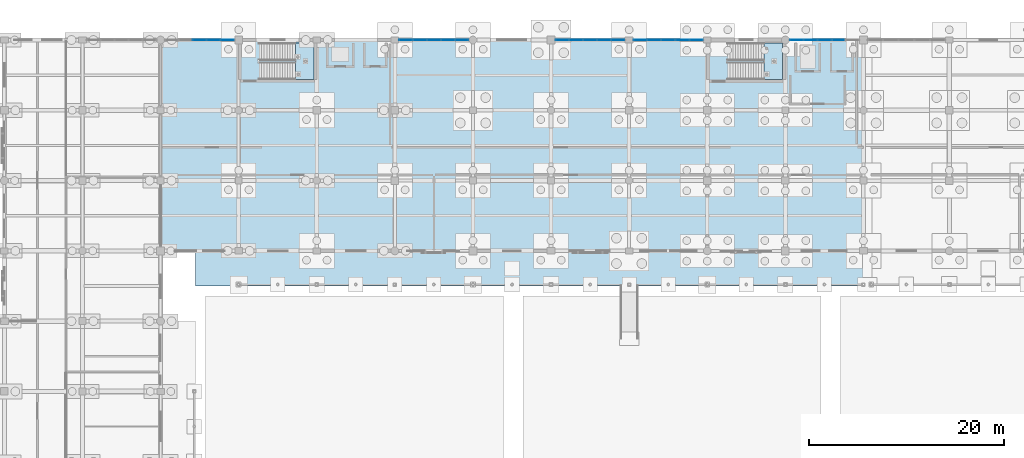
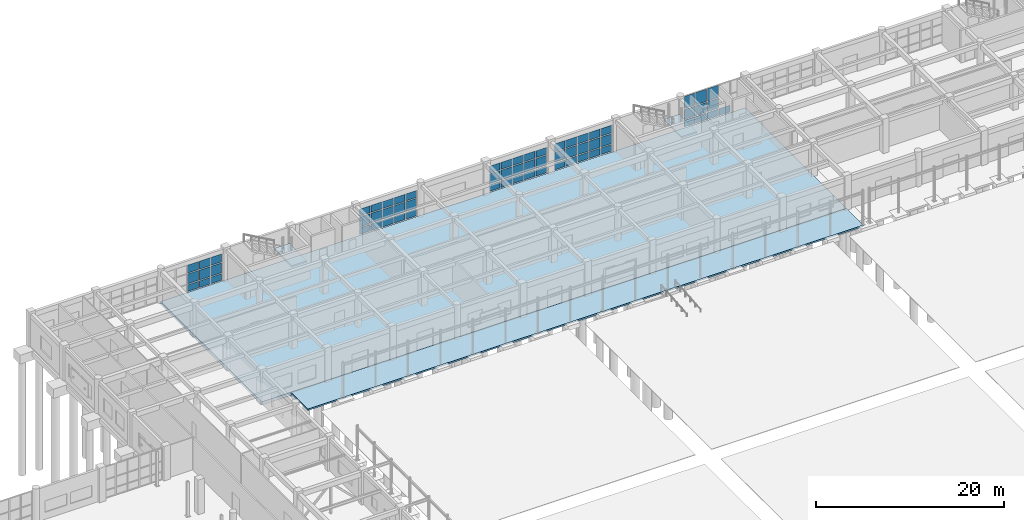
# One storey, part 112 of 166: 64 plates, 4 slabs, 7 elements without a shape of their own.
"""IFC4 building model written with IfcOpenShell, lengths in metres."""

from ifc_helpers import new_model, si_unit, direction, frame, origin, origin_2d, place, context, subcontext, project, spatial, polyline, rectangle, outline, extrude, material, layer, layer_set, type_object, element, aggregate, save


model = new_model("IFC4")

# Units and contexts
model_context = context("Model", 3, precision=1e-05, world=origin(), true_north=direction((0.0, 1.0)))
body_context = subcontext(model_context, "Body", "Model", "MODEL_VIEW")
ifc_project = project(units=[si_unit("LENGTHUNIT", "METRE"), si_unit("AREAUNIT", "SQUARE_METRE"), si_unit("VOLUMEUNIT", "CUBIC_METRE"), si_unit("PLANEANGLEUNIT", "RADIAN"), si_unit("MASSUNIT", "GRAM", prefix="KILO")], contexts=[model_context])

# Site, building, storey
site_placement = place(None, origin())
site = spatial("IfcSite", under=ifc_project, at=site_placement, CompositionType="ELEMENT")
building_placement = place(site_placement, origin())
building = spatial("IfcBuilding", under=site, at=building_placement, Name="Kharva Crest Polytechnic", CompositionType="ELEMENT")
storey_placement = place(building_placement, origin())
storey = spatial("IfcBuildingStorey", under=building, at=storey_placement, Name="L00", CompositionType="ELEMENT", Elevation=0.0)

# Curtain wall, plates
ifc_material_1 = material(Name="Tempered insulated glass", Category="glass")
curtain_wall_type = type_object("IfcCurtainWallType", Name="CW-SYS-COURT", PredefinedType="USERDEFINED", material=ifc_material_1)
curtain_wall_1_placement = place(storey_placement, origin())
curtain_wall_1 = element("IfcCurtainWall", 1, at=curtain_wall_1_placement, inside=storey, type_object=curtain_wall_type, Name="L00 Glazed Curtain Wall CW-025", ObjectType="CURTAIN WALL", PredefinedType="USERDEFINED")
ifc_layer_1 = layer(ifc_material_1, 0.02392578125, Name="Tempered insulated glass")
ifc_layer_set_1 = layer_set([ifc_layer_1], Name="Tempered insulated glass")
plate_type = type_object("IfcPlateType", Name="CWP-GLZ-24", PredefinedType="CURTAIN_PANEL", material=ifc_layer_set_1)
plate_1_placement = place(storey_placement, frame((117.43798828125, 122.0, 0.119873046875), z_axis=(0.0, 0.0, 1.0), x_axis=(-1.0, 0.0, 0.0)))
plate_1 = element("IfcPlate", 2, at=plate_1_placement, type_object=plate_type, Name="CW-025 panel 2.1", PredefinedType="CURTAIN_PANEL", context=body_context, shape_type="SweptSolid", body=[
    extrude(rectangle(XDim=1.35791015625, YDim=0.02392578125, at=origin_2d()), origin(), (0.0, 0.0, 1.0), 0.8701171875),
])
plate_2_placement = place(storey_placement, frame((116.0, 122.0, 0.119873046875), z_axis=(0.0, 0.0, 1.0), x_axis=(-1.0, 0.0, 0.0)))
plate_2 = element("IfcPlate", 3, at=plate_2_placement, type_object=plate_type, Name="CW-025 panel 3.1", PredefinedType="CURTAIN_PANEL", context=body_context, shape_type="SweptSolid", body=[
    extrude(rectangle(XDim=1.35791015625, YDim=0.02392578125, at=origin_2d()), origin(), (0.0, 0.0, 1.0), 0.8701171875),
])
plate_3_placement = place(storey_placement, frame((116.0, 122.0, 1.10986328125), z_axis=(0.0, 0.0, 1.0), x_axis=(-1.0, 0.0, 0.0)))
plate_3 = element("IfcPlate", 4, at=plate_3_placement, type_object=plate_type, Name="CW-025 panel 3.2", PredefinedType="CURTAIN_PANEL", context=body_context, shape_type="SweptSolid", body=[
    extrude(rectangle(XDim=1.35791015625, YDim=0.02392578125, at=origin_2d()), origin(), (0.0, 0.0, 1.0), 1.280029296875),
])
plate_4_placement = place(storey_placement, frame((116.0, 122.0, 2.509765625), z_axis=(0.0, 0.0, 1.0), x_axis=(-1.0, 0.0, 0.0)))
plate_4 = element("IfcPlate", 5, at=plate_4_placement, type_object=plate_type, Name="CW-025 panel 3.3", PredefinedType="CURTAIN_PANEL", context=body_context, shape_type="SweptSolid", body=[
    extrude(rectangle(XDim=1.35791015625, YDim=0.02392578125, at=origin_2d()), origin(), (0.0, 0.0, 1.0), 1.590087890625),
])
plate_5_placement = place(storey_placement, frame((114.56201171875, 122.0, 0.119873046875), z_axis=(0.0, 0.0, 1.0), x_axis=(-1.0, 0.0, 0.0)))
plate_5 = element("IfcPlate", 6, at=plate_5_placement, type_object=plate_type, Name="CW-025 panel 4.1", PredefinedType="CURTAIN_PANEL", context=body_context, shape_type="SweptSolid", body=[
    extrude(rectangle(XDim=1.35791015625, YDim=0.02392578125, at=origin_2d()), origin(), (0.0, 0.0, 1.0), 0.8701171875),
])
plate_6_placement = place(storey_placement, frame((114.56201171875, 122.0, 1.10986328125), z_axis=(0.0, 0.0, 1.0), x_axis=(-1.0, 0.0, 0.0)))
plate_6 = element("IfcPlate", 7, at=plate_6_placement, type_object=plate_type, Name="CW-025 panel 4.2", PredefinedType="CURTAIN_PANEL", context=body_context, shape_type="SweptSolid", body=[
    extrude(rectangle(XDim=1.35791015625, YDim=0.02392578125, at=origin_2d()), origin(), (0.0, 0.0, 1.0), 1.280029296875),
])
plate_7_placement = place(storey_placement, frame((114.56201171875, 122.0, 2.509765625), z_axis=(0.0, 0.0, 1.0), x_axis=(-1.0, 0.0, 0.0)))
plate_7 = element("IfcPlate", 8, at=plate_7_placement, type_object=plate_type, Name="CW-025 panel 4.3", PredefinedType="CURTAIN_PANEL", context=body_context, shape_type="SweptSolid", body=[
    extrude(rectangle(XDim=1.35791015625, YDim=0.02392578125, at=origin_2d()), origin(), (0.0, 0.0, 1.0), 1.590087890625),
])
plate_8_placement = place(storey_placement, frame((113.14404296875, 122.0, 0.119873046875), z_axis=(0.0, 0.0, 1.0), x_axis=(-1.0, 0.0, 0.0)))
plate_8 = element("IfcPlate", 9, at=plate_8_placement, type_object=plate_type, Name="CW-025 panel 5.1", PredefinedType="CURTAIN_PANEL", context=body_context, shape_type="SweptSolid", body=[
    extrude(rectangle(XDim=1.318115234375, YDim=0.02392578125, at=origin_2d()), origin(), (0.0, 0.0, 1.0), 0.8701171875),
])
plate_9_placement = place(storey_placement, frame((113.14404296875, 122.0, 1.10986328125), z_axis=(0.0, 0.0, 1.0), x_axis=(-1.0, 0.0, 0.0)))
plate_9 = element("IfcPlate", 10, at=plate_9_placement, type_object=plate_type, Name="CW-025 panel 5.2", PredefinedType="CURTAIN_PANEL", context=body_context, shape_type="SweptSolid", body=[
    extrude(rectangle(XDim=1.318115234375, YDim=0.02392578125, at=origin_2d()), origin(), (0.0, 0.0, 1.0), 1.280029296875),
])
plate_10_placement = place(storey_placement, frame((113.14404296875, 122.0, 2.509765625), z_axis=(0.0, 0.0, 1.0), x_axis=(-1.0, 0.0, 0.0)))
plate_10 = element("IfcPlate", 11, at=plate_10_placement, type_object=plate_type, Name="CW-025 panel 5.3", PredefinedType="CURTAIN_PANEL", context=body_context, shape_type="SweptSolid", body=[
    extrude(rectangle(XDim=1.318115234375, YDim=0.02392578125, at=origin_2d()), origin(), (0.0, 0.0, 1.0), 1.590087890625),
])
aggregate(curtain_wall_1, [plate_1, plate_2, plate_3, plate_4, plate_5, plate_6, plate_7, plate_8, plate_9, plate_10])

curtain_wall_2_placement = place(storey_placement, origin())
curtain_wall_2 = element("IfcCurtainWall", 12, at=curtain_wall_2_placement, inside=storey, type_object=curtain_wall_type, Name="L00 Glazed Curtain Wall CW-026", ObjectType="CURTAIN WALL", PredefinedType="USERDEFINED")
plate_11_placement = place(storey_placement, frame((102.864990234375, 122.0, 0.119873046875), z_axis=(0.0, 0.0, 1.0), x_axis=(-1.0, 0.0, 0.0)))
plate_11 = element("IfcPlate", 13, at=plate_11_placement, type_object=plate_type, Name="CW-026 panel 1.1", PredefinedType="CURTAIN_PANEL", context=body_context, shape_type="SweptSolid", body=[
    extrude(rectangle(XDim=1.320068359375, YDim=0.02392578125, at=origin_2d()), origin(), (0.0, 0.0, 1.0), 0.8701171875),
])
plate_12_placement = place(storey_placement, frame((102.864990234375, 122.0, 1.10986328125), z_axis=(0.0, 0.0, 1.0), x_axis=(-1.0, 0.0, 0.0)))
plate_12 = element("IfcPlate", 14, at=plate_12_placement, type_object=plate_type, Name="CW-026 panel 1.2", PredefinedType="CURTAIN_PANEL", context=body_context, shape_type="SweptSolid", body=[
    extrude(rectangle(XDim=1.320068359375, YDim=0.02392578125, at=origin_2d()), origin(), (0.0, 0.0, 1.0), 1.280029296875),
])
plate_13_placement = place(storey_placement, frame((102.864990234375, 122.0, 2.509765625), z_axis=(0.0, 0.0, 1.0), x_axis=(-1.0, 0.0, 0.0)))
plate_13 = element("IfcPlate", 15, at=plate_13_placement, type_object=plate_type, Name="CW-026 panel 1.3", PredefinedType="CURTAIN_PANEL", context=body_context, shape_type="SweptSolid", body=[
    extrude(rectangle(XDim=1.320068359375, YDim=0.02392578125, at=origin_2d()), origin(), (0.0, 0.0, 1.0), 0.989990234375),
])
plate_14_placement = place(storey_placement, frame((101.445068359375, 122.0, 0.119873046875), z_axis=(0.0, 0.0, 1.0), x_axis=(-1.0, 0.0, 0.0)))
plate_14 = element("IfcPlate", 16, at=plate_14_placement, type_object=plate_type, Name="CW-026 panel 2.1", PredefinedType="CURTAIN_PANEL", context=body_context, shape_type="SweptSolid", body=[
    extrude(rectangle(XDim=1.360107421875, YDim=0.02392578125, at=origin_2d()), origin(), (0.0, 0.0, 1.0), 0.8701171875),
])
plate_15_placement = place(storey_placement, frame((101.445068359375, 122.0, 1.10986328125), z_axis=(0.0, 0.0, 1.0), x_axis=(-1.0, 0.0, 0.0)))
plate_15 = element("IfcPlate", 17, at=plate_15_placement, type_object=plate_type, Name="CW-026 panel 2.2", PredefinedType="CURTAIN_PANEL", context=body_context, shape_type="SweptSolid", body=[
    extrude(rectangle(XDim=1.360107421875, YDim=0.02392578125, at=origin_2d()), origin(), (0.0, 0.0, 1.0), 1.280029296875),
])
plate_16_placement = place(storey_placement, frame((101.445068359375, 122.0, 2.509765625), z_axis=(0.0, 0.0, 1.0), x_axis=(-1.0, 0.0, 0.0)))
plate_16 = element("IfcPlate", 18, at=plate_16_placement, type_object=plate_type, Name="CW-026 panel 2.3", PredefinedType="CURTAIN_PANEL", context=body_context, shape_type="SweptSolid", body=[
    extrude(rectangle(XDim=1.360107421875, YDim=0.02392578125, at=origin_2d()), origin(), (0.0, 0.0, 1.0), 0.989990234375),
])
plate_17_placement = place(storey_placement, frame((100.0048828125, 122.0, 0.119873046875), z_axis=(0.0, 0.0, 1.0), x_axis=(-1.0, 0.0, 0.0)))
plate_17 = element("IfcPlate", 19, at=plate_17_placement, type_object=plate_type, Name="CW-026 panel 3.1", PredefinedType="CURTAIN_PANEL", context=body_context, shape_type="SweptSolid", body=[
    extrude(rectangle(XDim=1.360107421875, YDim=0.02392578125, at=origin_2d()), origin(), (0.0, 0.0, 1.0), 0.8701171875),
])
plate_18_placement = place(storey_placement, frame((100.0048828125, 122.0, 1.10986328125), z_axis=(0.0, 0.0, 1.0), x_axis=(-1.0, 0.0, 0.0)))
plate_18 = element("IfcPlate", 20, at=plate_18_placement, type_object=plate_type, Name="CW-026 panel 3.2", PredefinedType="CURTAIN_PANEL", context=body_context, shape_type="SweptSolid", body=[
    extrude(rectangle(XDim=1.360107421875, YDim=0.02392578125, at=origin_2d()), origin(), (0.0, 0.0, 1.0), 1.280029296875),
])
plate_19_placement = place(storey_placement, frame((100.0048828125, 122.0, 2.509765625), z_axis=(0.0, 0.0, 1.0), x_axis=(-1.0, 0.0, 0.0)))
plate_19 = element("IfcPlate", 21, at=plate_19_placement, type_object=plate_type, Name="CW-026 panel 3.3", PredefinedType="CURTAIN_PANEL", context=body_context, shape_type="SweptSolid", body=[
    extrude(rectangle(XDim=1.360107421875, YDim=0.02392578125, at=origin_2d()), origin(), (0.0, 0.0, 1.0), 0.989990234375),
])
plate_20_placement = place(storey_placement, frame((98.56494140625, 122.0, 0.119873046875), z_axis=(0.0, 0.0, 1.0), x_axis=(-1.0, 0.0, 0.0)))
plate_20 = element("IfcPlate", 22, at=plate_20_placement, type_object=plate_type, Name="CW-026 panel 4.1", PredefinedType="CURTAIN_PANEL", context=body_context, shape_type="SweptSolid", body=[
    extrude(rectangle(XDim=1.360107421875, YDim=0.02392578125, at=origin_2d()), origin(), (0.0, 0.0, 1.0), 0.8701171875),
])
plate_21_placement = place(storey_placement, frame((98.56494140625, 122.0, 1.10986328125), z_axis=(0.0, 0.0, 1.0), x_axis=(-1.0, 0.0, 0.0)))
plate_21 = element("IfcPlate", 23, at=plate_21_placement, type_object=plate_type, Name="CW-026 panel 4.2", PredefinedType="CURTAIN_PANEL", context=body_context, shape_type="SweptSolid", body=[
    extrude(rectangle(XDim=1.360107421875, YDim=0.02392578125, at=origin_2d()), origin(), (0.0, 0.0, 1.0), 1.280029296875),
])
plate_22_placement = place(storey_placement, frame((98.56494140625, 122.0, 2.509765625), z_axis=(0.0, 0.0, 1.0), x_axis=(-1.0, 0.0, 0.0)))
plate_22 = element("IfcPlate", 24, at=plate_22_placement, type_object=plate_type, Name="CW-026 panel 4.3", PredefinedType="CURTAIN_PANEL", context=body_context, shape_type="SweptSolid", body=[
    extrude(rectangle(XDim=1.360107421875, YDim=0.02392578125, at=origin_2d()), origin(), (0.0, 0.0, 1.0), 0.989990234375),
])
plate_23_placement = place(storey_placement, frame((97.14501953125, 122.0, 0.119873046875), z_axis=(0.0, 0.0, 1.0), x_axis=(-1.0, 0.0, 0.0)))
plate_23 = element("IfcPlate", 25, at=plate_23_placement, type_object=plate_type, Name="CW-026 panel 5.1", PredefinedType="CURTAIN_PANEL", context=body_context, shape_type="SweptSolid", body=[
    extrude(rectangle(XDim=1.320068359375, YDim=0.02392578125, at=origin_2d()), origin(), (0.0, 0.0, 1.0), 0.8701171875),
])
plate_24_placement = place(storey_placement, frame((97.14501953125, 122.0, 1.10986328125), z_axis=(0.0, 0.0, 1.0), x_axis=(-1.0, 0.0, 0.0)))
plate_24 = element("IfcPlate", 26, at=plate_24_placement, type_object=plate_type, Name="CW-026 panel 5.2", PredefinedType="CURTAIN_PANEL", context=body_context, shape_type="SweptSolid", body=[
    extrude(rectangle(XDim=1.320068359375, YDim=0.02392578125, at=origin_2d()), origin(), (0.0, 0.0, 1.0), 1.280029296875),
])
plate_25_placement = place(storey_placement, frame((97.14501953125, 122.0, 2.509765625), z_axis=(0.0, 0.0, 1.0), x_axis=(-1.0, 0.0, 0.0)))
plate_25 = element("IfcPlate", 27, at=plate_25_placement, type_object=plate_type, Name="CW-026 panel 5.3", PredefinedType="CURTAIN_PANEL", context=body_context, shape_type="SweptSolid", body=[
    extrude(rectangle(XDim=1.320068359375, YDim=0.02392578125, at=origin_2d()), origin(), (0.0, 0.0, 1.0), 0.989990234375),
])
aggregate(curtain_wall_2, [plate_11, plate_12, plate_13, plate_14, plate_15, plate_16, plate_17, plate_18, plate_19, plate_20, plate_21, plate_22, plate_23, plate_24, plate_25])

curtain_wall_3_placement = place(storey_placement, origin())
curtain_wall_3 = element("IfcCurtainWall", 28, at=curtain_wall_3_placement, inside=storey, type_object=curtain_wall_type, Name="L00 Glazed Curtain Wall CW-027", ObjectType="CURTAIN WALL", PredefinedType="USERDEFINED")
plate_26_placement = place(storey_placement, frame((94.85595703125, 122.0, 0.119873046875), z_axis=(0.0, 0.0, 1.0), x_axis=(-1.0, 0.0, 0.0)))
plate_26 = element("IfcPlate", 29, at=plate_26_placement, type_object=plate_type, Name="CW-027 panel 1.1", PredefinedType="CURTAIN_PANEL", context=body_context, shape_type="SweptSolid", body=[
    extrude(rectangle(XDim=1.318115234375, YDim=0.02392578125, at=origin_2d()), origin(), (0.0, 0.0, 1.0), 0.8701171875),
])
plate_27_placement = place(storey_placement, frame((94.85595703125, 122.0, 1.10986328125), z_axis=(0.0, 0.0, 1.0), x_axis=(-1.0, 0.0, 0.0)))
plate_27 = element("IfcPlate", 30, at=plate_27_placement, type_object=plate_type, Name="CW-027 panel 1.2", PredefinedType="CURTAIN_PANEL", context=body_context, shape_type="SweptSolid", body=[
    extrude(rectangle(XDim=1.318115234375, YDim=0.02392578125, at=origin_2d()), origin(), (0.0, 0.0, 1.0), 1.280029296875),
])
plate_28_placement = place(storey_placement, frame((94.85595703125, 122.0, 2.51025390625), z_axis=(0.0, 0.0, 1.0), x_axis=(-1.0, 0.0, 0.0)))
plate_28 = element("IfcPlate", 31, at=plate_28_placement, type_object=plate_type, Name="CW-027 panel 1.3", PredefinedType="CURTAIN_PANEL", context=body_context, shape_type="SweptSolid", body=[
    extrude(rectangle(XDim=1.318115234375, YDim=0.02392578125, at=origin_2d()), origin(), (0.0, 0.0, 1.0), 0.909912109375),
])
plate_29_placement = place(storey_placement, frame((93.43798828125, 122.0, 0.119873046875), z_axis=(0.0, 0.0, 1.0), x_axis=(-1.0, 0.0, 0.0)))
plate_29 = element("IfcPlate", 32, at=plate_29_placement, type_object=plate_type, Name="CW-027 panel 2.1", PredefinedType="CURTAIN_PANEL", context=body_context, shape_type="SweptSolid", body=[
    extrude(rectangle(XDim=1.35791015625, YDim=0.02392578125, at=origin_2d()), origin(), (0.0, 0.0, 1.0), 0.8701171875),
])
plate_30_placement = place(storey_placement, frame((93.43798828125, 122.0, 1.10986328125), z_axis=(0.0, 0.0, 1.0), x_axis=(-1.0, 0.0, 0.0)))
plate_30 = element("IfcPlate", 33, at=plate_30_placement, type_object=plate_type, Name="CW-027 panel 2.2", PredefinedType="CURTAIN_PANEL", context=body_context, shape_type="SweptSolid", body=[
    extrude(rectangle(XDim=1.35791015625, YDim=0.02392578125, at=origin_2d()), origin(), (0.0, 0.0, 1.0), 1.280029296875),
])
plate_31_placement = place(storey_placement, frame((93.43798828125, 122.0, 2.51025390625), z_axis=(0.0, 0.0, 1.0), x_axis=(-1.0, 0.0, 0.0)))
plate_31 = element("IfcPlate", 34, at=plate_31_placement, type_object=plate_type, Name="CW-027 panel 2.3", PredefinedType="CURTAIN_PANEL", context=body_context, shape_type="SweptSolid", body=[
    extrude(rectangle(XDim=1.35791015625, YDim=0.02392578125, at=origin_2d()), origin(), (0.0, 0.0, 1.0), 0.909912109375),
])
plate_32_placement = place(storey_placement, frame((92.0, 122.0, 0.119873046875), z_axis=(0.0, 0.0, 1.0), x_axis=(-1.0, 0.0, 0.0)))
plate_32 = element("IfcPlate", 35, at=plate_32_placement, type_object=plate_type, Name="CW-027 panel 3.1", PredefinedType="CURTAIN_PANEL", context=body_context, shape_type="SweptSolid", body=[
    extrude(rectangle(XDim=1.35791015625, YDim=0.02392578125, at=origin_2d()), origin(), (0.0, 0.0, 1.0), 0.8701171875),
])
plate_33_placement = place(storey_placement, frame((92.0, 122.0, 1.10986328125), z_axis=(0.0, 0.0, 1.0), x_axis=(-1.0, 0.0, 0.0)))
plate_33 = element("IfcPlate", 36, at=plate_33_placement, type_object=plate_type, Name="CW-027 panel 3.2", PredefinedType="CURTAIN_PANEL", context=body_context, shape_type="SweptSolid", body=[
    extrude(rectangle(XDim=1.35791015625, YDim=0.02392578125, at=origin_2d()), origin(), (0.0, 0.0, 1.0), 1.280029296875),
])
plate_34_placement = place(storey_placement, frame((92.0, 122.0, 2.51025390625), z_axis=(0.0, 0.0, 1.0), x_axis=(-1.0, 0.0, 0.0)))
plate_34 = element("IfcPlate", 37, at=plate_34_placement, type_object=plate_type, Name="CW-027 panel 3.3", PredefinedType="CURTAIN_PANEL", context=body_context, shape_type="SweptSolid", body=[
    extrude(rectangle(XDim=1.35791015625, YDim=0.02392578125, at=origin_2d()), origin(), (0.0, 0.0, 1.0), 0.909912109375),
])
plate_35_placement = place(storey_placement, frame((90.56201171875, 122.0, 0.119873046875), z_axis=(0.0, 0.0, 1.0), x_axis=(-1.0, 0.0, 0.0)))
plate_35 = element("IfcPlate", 38, at=plate_35_placement, type_object=plate_type, Name="CW-027 panel 4.1", PredefinedType="CURTAIN_PANEL", context=body_context, shape_type="SweptSolid", body=[
    extrude(rectangle(XDim=1.35791015625, YDim=0.02392578125, at=origin_2d()), origin(), (0.0, 0.0, 1.0), 0.8701171875),
])
plate_36_placement = place(storey_placement, frame((90.56201171875, 122.0, 1.10986328125), z_axis=(0.0, 0.0, 1.0), x_axis=(-1.0, 0.0, 0.0)))
plate_36 = element("IfcPlate", 39, at=plate_36_placement, type_object=plate_type, Name="CW-027 panel 4.2", PredefinedType="CURTAIN_PANEL", context=body_context, shape_type="SweptSolid", body=[
    extrude(rectangle(XDim=1.35791015625, YDim=0.02392578125, at=origin_2d()), origin(), (0.0, 0.0, 1.0), 1.280029296875),
])
plate_37_placement = place(storey_placement, frame((90.56201171875, 122.0, 2.51025390625), z_axis=(0.0, 0.0, 1.0), x_axis=(-1.0, 0.0, 0.0)))
plate_37 = element("IfcPlate", 40, at=plate_37_placement, type_object=plate_type, Name="CW-027 panel 4.3", PredefinedType="CURTAIN_PANEL", context=body_context, shape_type="SweptSolid", body=[
    extrude(rectangle(XDim=1.35791015625, YDim=0.02392578125, at=origin_2d()), origin(), (0.0, 0.0, 1.0), 0.909912109375),
])
plate_38_placement = place(storey_placement, frame((89.14404296875, 122.0, 0.119873046875), z_axis=(0.0, 0.0, 1.0), x_axis=(-1.0, 0.0, 0.0)))
plate_38 = element("IfcPlate", 41, at=plate_38_placement, type_object=plate_type, Name="CW-027 panel 5.1", PredefinedType="CURTAIN_PANEL", context=body_context, shape_type="SweptSolid", body=[
    extrude(rectangle(XDim=1.318115234375, YDim=0.02392578125, at=origin_2d()), origin(), (0.0, 0.0, 1.0), 0.8701171875),
])
plate_39_placement = place(storey_placement, frame((89.14404296875, 122.0, 1.10986328125), z_axis=(0.0, 0.0, 1.0), x_axis=(-1.0, 0.0, 0.0)))
plate_39 = element("IfcPlate", 42, at=plate_39_placement, type_object=plate_type, Name="CW-027 panel 5.2", PredefinedType="CURTAIN_PANEL", context=body_context, shape_type="SweptSolid", body=[
    extrude(rectangle(XDim=1.318115234375, YDim=0.02392578125, at=origin_2d()), origin(), (0.0, 0.0, 1.0), 1.280029296875),
])
plate_40_placement = place(storey_placement, frame((89.14404296875, 122.0, 2.51025390625), z_axis=(0.0, 0.0, 1.0), x_axis=(-1.0, 0.0, 0.0)))
plate_40 = element("IfcPlate", 43, at=plate_40_placement, type_object=plate_type, Name="CW-027 panel 5.3", PredefinedType="CURTAIN_PANEL", context=body_context, shape_type="SweptSolid", body=[
    extrude(rectangle(XDim=1.318115234375, YDim=0.02392578125, at=origin_2d()), origin(), (0.0, 0.0, 1.0), 0.909912109375),
])
aggregate(curtain_wall_3, [plate_26, plate_27, plate_28, plate_29, plate_30, plate_31, plate_32, plate_33, plate_34, plate_35, plate_36, plate_37, plate_38, plate_39, plate_40])

curtain_wall_4_placement = place(storey_placement, origin())
curtain_wall_4 = element("IfcCurtainWall", 44, at=curtain_wall_4_placement, inside=storey, type_object=curtain_wall_type, Name="L00 Glazed Curtain Wall CW-028", ObjectType="CURTAIN WALL", PredefinedType="USERDEFINED")
plate_41_placement = place(storey_placement, frame((78.85498046875, 122.0, 0.119873046875), z_axis=(0.0, 0.0, 1.0), x_axis=(-1.0, 0.0, 0.0)))
plate_41 = element("IfcPlate", 45, at=plate_41_placement, type_object=plate_type, Name="CW-028 panel 1.1", PredefinedType="CURTAIN_PANEL", context=body_context, shape_type="SweptSolid", body=[
    extrude(rectangle(XDim=1.320068359375, YDim=0.02392578125, at=origin_2d()), origin(), (0.0, 0.0, 1.0), 0.8701171875),
])
plate_42_placement = place(storey_placement, frame((78.85498046875, 122.0, 1.10986328125), z_axis=(0.0, 0.0, 1.0), x_axis=(-1.0, 0.0, 0.0)))
plate_42 = element("IfcPlate", 46, at=plate_42_placement, type_object=plate_type, Name="CW-028 panel 1.2", PredefinedType="CURTAIN_PANEL", context=body_context, shape_type="SweptSolid", body=[
    extrude(rectangle(XDim=1.320068359375, YDim=0.02392578125, at=origin_2d()), origin(), (0.0, 0.0, 1.0), 1.280029296875),
])
plate_43_placement = place(storey_placement, frame((78.85498046875, 122.0, 2.51025390625), z_axis=(0.0, 0.0, 1.0), x_axis=(-1.0, 0.0, 0.0)))
plate_43 = element("IfcPlate", 47, at=plate_43_placement, type_object=plate_type, Name="CW-028 panel 1.3", PredefinedType="CURTAIN_PANEL", context=body_context, shape_type="SweptSolid", body=[
    extrude(rectangle(XDim=1.320068359375, YDim=0.02392578125, at=origin_2d()), origin(), (0.0, 0.0, 1.0), 0.909912109375),
])
plate_44_placement = place(storey_placement, frame((77.43505859375, 122.0, 0.119873046875), z_axis=(0.0, 0.0, 1.0), x_axis=(-1.0, 0.0, 0.0)))
plate_44 = element("IfcPlate", 48, at=plate_44_placement, type_object=plate_type, Name="CW-028 panel 2.1", PredefinedType="CURTAIN_PANEL", context=body_context, shape_type="SweptSolid", body=[
    extrude(rectangle(XDim=1.360107421875, YDim=0.02392578125, at=origin_2d()), origin(), (0.0, 0.0, 1.0), 0.8701171875),
])
plate_45_placement = place(storey_placement, frame((77.43505859375, 122.0, 1.10986328125), z_axis=(0.0, 0.0, 1.0), x_axis=(-1.0, 0.0, 0.0)))
plate_45 = element("IfcPlate", 49, at=plate_45_placement, type_object=plate_type, Name="CW-028 panel 2.2", PredefinedType="CURTAIN_PANEL", context=body_context, shape_type="SweptSolid", body=[
    extrude(rectangle(XDim=1.360107421875, YDim=0.02392578125, at=origin_2d()), origin(), (0.0, 0.0, 1.0), 1.280029296875),
])
plate_46_placement = place(storey_placement, frame((77.43505859375, 122.0, 2.51025390625), z_axis=(0.0, 0.0, 1.0), x_axis=(-1.0, 0.0, 0.0)))
plate_46 = element("IfcPlate", 50, at=plate_46_placement, type_object=plate_type, Name="CW-028 panel 2.3", PredefinedType="CURTAIN_PANEL", context=body_context, shape_type="SweptSolid", body=[
    extrude(rectangle(XDim=1.360107421875, YDim=0.02392578125, at=origin_2d()), origin(), (0.0, 0.0, 1.0), 0.909912109375),
])
plate_47_placement = place(storey_placement, frame((75.9951171875, 122.0, 0.119873046875), z_axis=(0.0, 0.0, 1.0), x_axis=(-1.0, 0.0, 0.0)))
plate_47 = element("IfcPlate", 51, at=plate_47_placement, type_object=plate_type, Name="CW-028 panel 3.1", PredefinedType="CURTAIN_PANEL", context=body_context, shape_type="SweptSolid", body=[
    extrude(rectangle(XDim=1.360107421875, YDim=0.02392578125, at=origin_2d()), origin(), (0.0, 0.0, 1.0), 0.8701171875),
])
plate_48_placement = place(storey_placement, frame((75.9951171875, 122.0, 1.10986328125), z_axis=(0.0, 0.0, 1.0), x_axis=(-1.0, 0.0, 0.0)))
plate_48 = element("IfcPlate", 52, at=plate_48_placement, type_object=plate_type, Name="CW-028 panel 3.2", PredefinedType="CURTAIN_PANEL", context=body_context, shape_type="SweptSolid", body=[
    extrude(rectangle(XDim=1.360107421875, YDim=0.02392578125, at=origin_2d()), origin(), (0.0, 0.0, 1.0), 1.280029296875),
])
plate_49_placement = place(storey_placement, frame((75.9951171875, 122.0, 2.51025390625), z_axis=(0.0, 0.0, 1.0), x_axis=(-1.0, 0.0, 0.0)))
plate_49 = element("IfcPlate", 53, at=plate_49_placement, type_object=plate_type, Name="CW-028 panel 3.3", PredefinedType="CURTAIN_PANEL", context=body_context, shape_type="SweptSolid", body=[
    extrude(rectangle(XDim=1.360107421875, YDim=0.02392578125, at=origin_2d()), origin(), (0.0, 0.0, 1.0), 0.909912109375),
])
plate_50_placement = place(storey_placement, frame((74.554931640625, 122.0, 0.119873046875), z_axis=(0.0, 0.0, 1.0), x_axis=(-1.0, 0.0, 0.0)))
plate_50 = element("IfcPlate", 54, at=plate_50_placement, type_object=plate_type, Name="CW-028 panel 4.1", PredefinedType="CURTAIN_PANEL", context=body_context, shape_type="SweptSolid", body=[
    extrude(rectangle(XDim=1.360107421875, YDim=0.02392578125, at=origin_2d()), origin(), (0.0, 0.0, 1.0), 0.8701171875),
])
plate_51_placement = place(storey_placement, frame((74.554931640625, 122.0, 1.10986328125), z_axis=(0.0, 0.0, 1.0), x_axis=(-1.0, 0.0, 0.0)))
plate_51 = element("IfcPlate", 55, at=plate_51_placement, type_object=plate_type, Name="CW-028 panel 4.2", PredefinedType="CURTAIN_PANEL", context=body_context, shape_type="SweptSolid", body=[
    extrude(rectangle(XDim=1.360107421875, YDim=0.02392578125, at=origin_2d()), origin(), (0.0, 0.0, 1.0), 1.280029296875),
])
plate_52_placement = place(storey_placement, frame((74.554931640625, 122.0, 2.51025390625), z_axis=(0.0, 0.0, 1.0), x_axis=(-1.0, 0.0, 0.0)))
plate_52 = element("IfcPlate", 56, at=plate_52_placement, type_object=plate_type, Name="CW-028 panel 4.3", PredefinedType="CURTAIN_PANEL", context=body_context, shape_type="SweptSolid", body=[
    extrude(rectangle(XDim=1.360107421875, YDim=0.02392578125, at=origin_2d()), origin(), (0.0, 0.0, 1.0), 0.909912109375),
])
plate_53_placement = place(storey_placement, frame((73.135009765625, 122.0, 0.119873046875), z_axis=(0.0, 0.0, 1.0), x_axis=(-1.0, 0.0, 0.0)))
plate_53 = element("IfcPlate", 57, at=plate_53_placement, type_object=plate_type, Name="CW-028 panel 5.1", PredefinedType="CURTAIN_PANEL", context=body_context, shape_type="SweptSolid", body=[
    extrude(rectangle(XDim=1.320068359375, YDim=0.02392578125, at=origin_2d()), origin(), (0.0, 0.0, 1.0), 0.8701171875),
])
plate_54_placement = place(storey_placement, frame((73.135009765625, 122.0, 1.10986328125), z_axis=(0.0, 0.0, 1.0), x_axis=(-1.0, 0.0, 0.0)))
plate_54 = element("IfcPlate", 58, at=plate_54_placement, type_object=plate_type, Name="CW-028 panel 5.2", PredefinedType="CURTAIN_PANEL", context=body_context, shape_type="SweptSolid", body=[
    extrude(rectangle(XDim=1.320068359375, YDim=0.02392578125, at=origin_2d()), origin(), (0.0, 0.0, 1.0), 1.280029296875),
])
plate_55_placement = place(storey_placement, frame((73.135009765625, 122.0, 2.51025390625), z_axis=(0.0, 0.0, 1.0), x_axis=(-1.0, 0.0, 0.0)))
plate_55 = element("IfcPlate", 59, at=plate_55_placement, type_object=plate_type, Name="CW-028 panel 5.3", PredefinedType="CURTAIN_PANEL", context=body_context, shape_type="SweptSolid", body=[
    extrude(rectangle(XDim=1.320068359375, YDim=0.02392578125, at=origin_2d()), origin(), (0.0, 0.0, 1.0), 0.909912109375),
])
aggregate(curtain_wall_4, [plate_41, plate_42, plate_43, plate_44, plate_45, plate_46, plate_47, plate_48, plate_49, plate_50, plate_51, plate_52, plate_53, plate_54, plate_55])

curtain_wall_5_placement = place(storey_placement, origin())
curtain_wall_5 = element("IfcCurtainWall", 60, at=curtain_wall_5_placement, inside=storey, type_object=curtain_wall_type, Name="L00 Glazed Curtain Wall CW-029", ObjectType="CURTAIN WALL", PredefinedType="USERDEFINED")
plate_56_placement = place(storey_placement, frame((54.85595703125, 122.0, 0.119873046875), z_axis=(0.0, 0.0, 1.0), x_axis=(-1.0, 0.0, 0.0)))
plate_56 = element("IfcPlate", 61, at=plate_56_placement, type_object=plate_type, Name="CW-029 panel 1.1", PredefinedType="CURTAIN_PANEL", context=body_context, shape_type="SweptSolid", body=[
    extrude(rectangle(XDim=1.318115234375, YDim=0.02392578125, at=origin_2d()), origin(), (0.0, 0.0, 1.0), 0.8701171875),
])
plate_57_placement = place(storey_placement, frame((54.85595703125, 122.0, 1.10986328125), z_axis=(0.0, 0.0, 1.0), x_axis=(-1.0, 0.0, 0.0)))
plate_57 = element("IfcPlate", 62, at=plate_57_placement, type_object=plate_type, Name="CW-029 panel 1.2", PredefinedType="CURTAIN_PANEL", context=body_context, shape_type="SweptSolid", body=[
    extrude(rectangle(XDim=1.318115234375, YDim=0.02392578125, at=origin_2d()), origin(), (0.0, 0.0, 1.0), 1.280029296875),
])
plate_58_placement = place(storey_placement, frame((54.85595703125, 122.0, 2.510009765625), z_axis=(0.0, 0.0, 1.0), x_axis=(-1.0, 0.0, 0.0)))
plate_58 = element("IfcPlate", 63, at=plate_58_placement, type_object=plate_type, Name="CW-029 panel 1.3", PredefinedType="CURTAIN_PANEL", context=body_context, shape_type="SweptSolid", body=[
    extrude(rectangle(XDim=1.318115234375, YDim=0.02392578125, at=origin_2d()), origin(), (0.0, 0.0, 1.0), 1.0400390625),
])
plate_59_placement = place(storey_placement, frame((53.43798828125, 122.0, 0.119873046875), z_axis=(0.0, 0.0, 1.0), x_axis=(-1.0, 0.0, 0.0)))
plate_59 = element("IfcPlate", 64, at=plate_59_placement, type_object=plate_type, Name="CW-029 panel 2.1", PredefinedType="CURTAIN_PANEL", context=body_context, shape_type="SweptSolid", body=[
    extrude(rectangle(XDim=1.35791015625, YDim=0.02392578125, at=origin_2d()), origin(), (0.0, 0.0, 1.0), 0.8701171875),
])
plate_60_placement = place(storey_placement, frame((53.43798828125, 122.0, 1.10986328125), z_axis=(0.0, 0.0, 1.0), x_axis=(-1.0, 0.0, 0.0)))
plate_60 = element("IfcPlate", 65, at=plate_60_placement, type_object=plate_type, Name="CW-029 panel 2.2", PredefinedType="CURTAIN_PANEL", context=body_context, shape_type="SweptSolid", body=[
    extrude(rectangle(XDim=1.35791015625, YDim=0.02392578125, at=origin_2d()), origin(), (0.0, 0.0, 1.0), 1.280029296875),
])
plate_61_placement = place(storey_placement, frame((53.43798828125, 122.0, 2.510009765625), z_axis=(0.0, 0.0, 1.0), x_axis=(-1.0, 0.0, 0.0)))
plate_61 = element("IfcPlate", 66, at=plate_61_placement, type_object=plate_type, Name="CW-029 panel 2.3", PredefinedType="CURTAIN_PANEL", context=body_context, shape_type="SweptSolid", body=[
    extrude(rectangle(XDim=1.35791015625, YDim=0.02392578125, at=origin_2d()), origin(), (0.0, 0.0, 1.0), 1.0400390625),
])
plate_62_placement = place(storey_placement, frame((52.0, 122.0, 0.119873046875), z_axis=(0.0, 0.0, 1.0), x_axis=(-1.0, 0.0, 0.0)))
plate_62 = element("IfcPlate", 67, at=plate_62_placement, type_object=plate_type, Name="CW-029 panel 3.1", PredefinedType="CURTAIN_PANEL", context=body_context, shape_type="SweptSolid", body=[
    extrude(rectangle(XDim=1.35791015625, YDim=0.02392578125, at=origin_2d()), origin(), (0.0, 0.0, 1.0), 0.8701171875),
])
plate_63_placement = place(storey_placement, frame((52.0, 122.0, 1.10986328125), z_axis=(0.0, 0.0, 1.0), x_axis=(-1.0, 0.0, 0.0)))
plate_63 = element("IfcPlate", 68, at=plate_63_placement, type_object=plate_type, Name="CW-029 panel 3.2", PredefinedType="CURTAIN_PANEL", context=body_context, shape_type="SweptSolid", body=[
    extrude(rectangle(XDim=1.35791015625, YDim=0.02392578125, at=origin_2d()), origin(), (0.0, 0.0, 1.0), 1.280029296875),
])
plate_64_placement = place(storey_placement, frame((52.0, 122.0, 2.510009765625), z_axis=(0.0, 0.0, 1.0), x_axis=(-1.0, 0.0, 0.0)))
plate_64 = element("IfcPlate", 69, at=plate_64_placement, type_object=plate_type, Name="CW-029 panel 3.3", PredefinedType="CURTAIN_PANEL", context=body_context, shape_type="SweptSolid", body=[
    extrude(rectangle(XDim=1.35791015625, YDim=0.02392578125, at=origin_2d()), origin(), (0.0, 0.0, 1.0), 1.0400390625),
])
aggregate(curtain_wall_5, [plate_56, plate_57, plate_58, plate_59, plate_60, plate_61, plate_62, plate_63, plate_64])

# Slab
ifc_material_2 = material(Name="Concrete C35/45", Category="concrete")
ifc_layer_2 = layer(ifc_material_2, 0.405029296875, Name="Concrete C35/45")
ifc_layer_set_2 = layer_set([ifc_layer_2], Name="Concrete C35/45")
slab_type_1 = type_object("IfcSlabType", Name="SLB-BASE-400", PredefinedType="BASESLAB", material=ifc_layer_set_2)
slab_1_placement = place(storey_placement, frame((0.0, 0.0, -0.405029296875)))
element("IfcSlab", 70, at=slab_1_placement, inside=storey, type_object=slab_type_1, Name="L00 Structural Slab N_LAB-W", PredefinedType="BASESLAB", context=body_context, shape_type="SweptSolid", body=[
    extrude(outline(polyline([(48.0, 100.39990234375), (120.0, 100.39990234375), (120.0, 122.0), (48.0, 122.0), (48.0, 100.39990234375)])), origin(), (0.0, 0.0, 1.0), 0.405029296875),
])

# Stair, slab
stair_type = type_object("IfcStairType", Name="STR-DOGLEG-1780", PredefinedType="TWO_STRAIGHT_RUN_STAIR", material=ifc_material_2)
stair_1_placement = place(storey_placement, origin())
stair_1 = element("IfcStair", 71, at=stair_1_placement, inside=storey, type_object=stair_type, Name="L00 North-West Lab Core C3", PredefinedType="TWO_STRAIGHT_RUN_STAIR")
ifc_layer_3 = layer(ifc_material_2, 0.199951171875, Name="Concrete C35/45")
ifc_layer_set_3 = layer_set([ifc_layer_3], Name="Concrete C35/45")
slab_type_2 = type_object("IfcSlabType", Name="SLB-LAND-200", PredefinedType="LANDING", material=ifc_layer_set_3)
slab_2_placement = place(storey_placement, frame((0.0, 0.0, 2.050048828125)))
slab_2 = element("IfcSlab", 72, at=slab_2_placement, type_object=slab_type_2, Name="ST-03 landing 1", PredefinedType="LANDING", context=body_context, shape_type="SweptSolid", body=[
    extrude(outline(polyline([(61.800048828125, 117.93994140625), (63.699951171875, 117.93994140625), (63.699951171875, 121.699951171875), (61.800048828125, 121.699951171875), (61.800048828125, 117.93994140625)])), origin(), (0.0, 0.0, 1.0), 0.199951171875),
])
aggregate(stair_1, [slab_2])

stair_2_placement = place(storey_placement, origin())
stair_2 = element("IfcStair", 73, at=stair_2_placement, inside=storey, type_object=stair_type, Name="L00 North Crest Firefighting Core C4", PredefinedType="TWO_STRAIGHT_RUN_STAIR")
slab_3_placement = place(storey_placement, frame((0.0, 0.0, 2.050048828125)))
slab_3 = element("IfcSlab", 74, at=slab_3_placement, type_object=slab_type_2, Name="ST-04 landing 1", PredefinedType="LANDING", context=body_context, shape_type="SweptSolid", body=[
    extrude(outline(polyline([(109.800048828125, 117.93994140625), (111.699951171875, 117.93994140625), (111.699951171875, 121.699951171875), (109.800048828125, 121.699951171875), (109.800048828125, 117.93994140625)])), origin(), (0.0, 0.0, 1.0), 0.199951171875),
])
aggregate(stair_2, [slab_3])

# Slab
ifc_layer_4 = layer(ifc_material_2, 0.199951171875, Name="Concrete C35/45")
ifc_layer_set_4 = layer_set([ifc_layer_4], Name="Concrete C35/45")
slab_type_3 = type_object("IfcSlabType", Name="SLB-VER-200", PredefinedType="FLOOR", material=ifc_layer_set_4)
slab_4_placement = place(storey_placement, frame((0.0, 0.0, -0.199951171875)))
element("IfcSlab", 75, at=slab_4_placement, inside=storey, type_object=slab_type_3, Name="L00 Outdoor Veranda Slab VER_N_L00-W", PredefinedType="FLOOR", context=body_context, shape_type="SweptSolid", body=[
    extrude(outline(polyline([(51.60009765625, 96.800048828125), (120.0, 96.800048828125), (120.0, 100.39990234375), (51.60009765625, 100.39990234375), (51.60009765625, 96.800048828125)])), origin(), (0.0, 0.0, 1.0), 0.199951171875),
])

save(model, "model.ifc")
